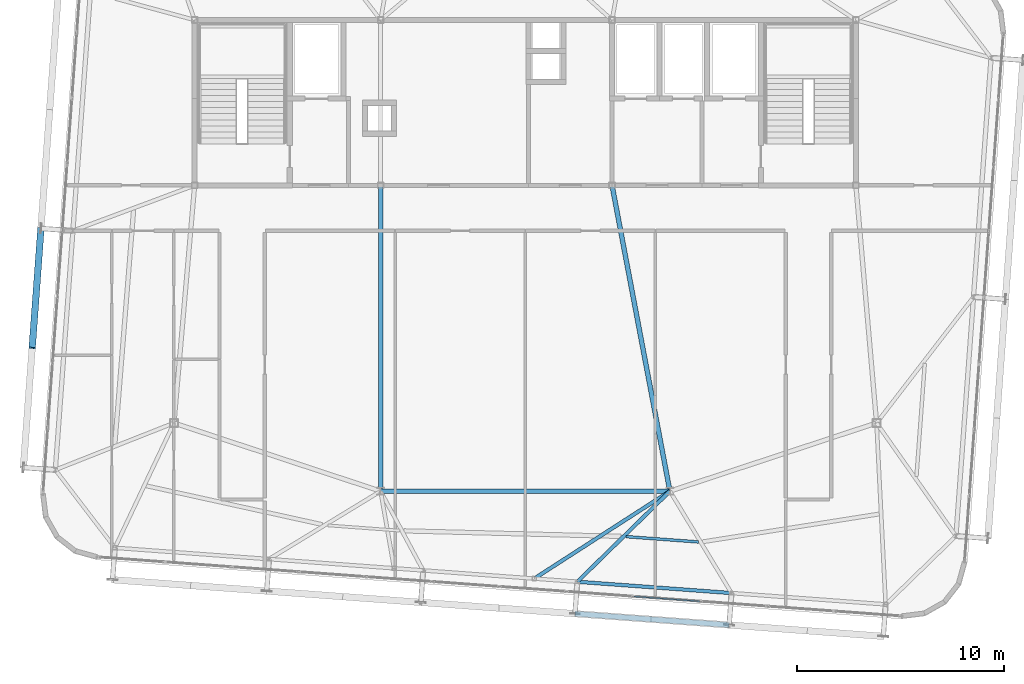
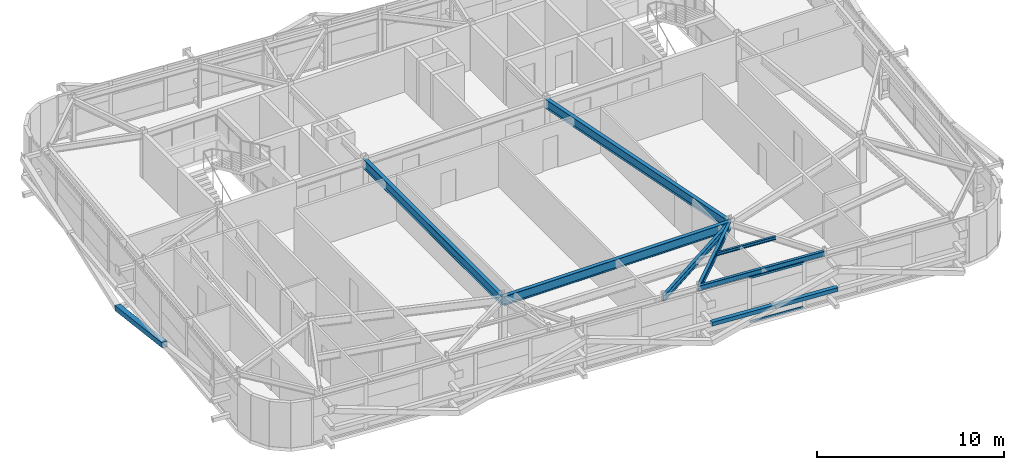
# One storey, part 14 of 42: 7 beams, 4 members, 1 element without a shape of its own.
"""IFC4 building model written with IfcOpenShell, lengths in metres."""

from ifc_helpers import new_model, si_unit, direction, frame, origin, origin_2d, place, context, subcontext, project, spatial, hollow_rectangle, i_section, extrude, source, transform, mapped, material, layer, layer_set, material_profile, profile_set, type_object, element, aggregate, save


model = new_model("IFC4")

# Units and contexts
model_context = context("Model", 3, precision=1e-05, world=origin(), true_north=direction((0.0, 1.0)))
body_context = subcontext(model_context, "Body", "Model", "MODEL_VIEW")
ifc_project = project(units=[si_unit("LENGTHUNIT", "METRE"), si_unit("AREAUNIT", "SQUARE_METRE"), si_unit("VOLUMEUNIT", "CUBIC_METRE"), si_unit("PLANEANGLEUNIT", "RADIAN"), si_unit("MASSUNIT", "GRAM", prefix="KILO")], contexts=[model_context])

# Site, building, storey
site_placement = place(None, origin())
site = spatial("IfcSite", under=ifc_project, at=site_placement, CompositionType="ELEMENT")
building_placement = place(site_placement, origin())
building = spatial("IfcBuilding", under=site, at=building_placement, Name="Taldren Reach Tower", CompositionType="ELEMENT")
storey_placement = place(building_placement, frame((0.0, 0.0, 220.85009765625)))
storey = spatial("IfcBuildingStorey", under=building, at=storey_placement, Name="L67", CompositionType="ELEMENT", Elevation=220.85009765625)

# Beams
ifc_material_1 = material(Name="Steel Gr 350 (350PLUS)", Category="steel")
ifc_material_profile_1 = material_profile(ifc_material_1, i_section(OverallWidth=0.22802734375, OverallDepth=0.60205078125, WebThickness=0.010498046875, FlangeThickness=0.014892578125, at=origin_2d()), Name="610UB101")
ifc_profile_set_1 = profile_set([ifc_material_profile_1], Name="Steel Gr 350 (350PLUS)")
beam_type_1 = type_object("IfcBeamType", Name="BM-UB610B", PredefinedType="BEAM", material=ifc_profile_set_1)
shared_shape_1 = source(origin(), body_context, "Body", "SweptSolid", [
    extrude(i_section(OverallWidth=0.22802734375, OverallDepth=0.60205078125, WebThickness=0.010498046875, FlangeThickness=0.014892578125, at=origin_2d()), origin(), (0.0, 0.0, 1.0), 14.0),
])
beam_1_placement = place(storey_placement, frame((28.0, 9.199951171875, 2.62890625), z_axis=(1.0, 0.0, 0.0), x_axis=(0.0, 1.0, 0.0)))
element("IfcBeam", 1, at=beam_1_placement, inside=storey, type_object=beam_type_1, Name="Core-spine girder L67-SP11", PredefinedType="BEAM", context=body_context, shape_type="MappedRepresentation", body=[
    mapped(shared_shape_1, transform((0.0, 0.0, 0.0), scale=1.0)),
])
shared_shape_2 = source(origin(), body_context, "Body", "SweptSolid", [
    extrude(i_section(OverallWidth=0.22802734375, OverallDepth=0.60205078125, WebThickness=0.010498046875, FlangeThickness=0.014892578125, at=origin_2d()), origin(), (0.0, 0.0, 1.0), 14.800048828125),
])
beam_2_placement = place(storey_placement, frame((28.0, 24.0, 2.62890625), z_axis=(0.0, -1.0, 0.0), x_axis=(1.0, 0.0, 0.0)))
element("IfcBeam", 2, at=beam_2_placement, inside=storey, type_object=beam_type_1, Name="Core-spine girder L67-SP14", PredefinedType="BEAM", context=body_context, shape_type="MappedRepresentation", body=[
    mapped(shared_shape_2, transform((0.0, 0.0, 0.0), scale=1.0)),
])
shared_shape_3 = source(origin(), body_context, "Body", "SweptSolid", [
    extrude(i_section(OverallWidth=0.22802734375, OverallDepth=0.60205078125, WebThickness=0.010498046875, FlangeThickness=0.014892578125, at=origin_2d()), origin(), (0.0, 0.0, 1.0), 15.0625),
])
beam_3_placement = place(storey_placement, frame((39.199951171875, 24.0, 2.62890625), z_axis=(0.185894205668, -0.982569765614, 0.0), x_axis=(0.982569765614, 0.185894205668, 0.0)))
element("IfcBeam", 3, at=beam_3_placement, inside=storey, type_object=beam_type_1, Name="Core-spine girder L67-SP15", PredefinedType="BEAM", context=body_context, shape_type="MappedRepresentation", body=[
    mapped(shared_shape_3, transform((0.0, 0.0, 0.0), scale=1.0)),
])
ifc_material_profile_2 = material_profile(ifc_material_1, i_section(OverallWidth=0.172119140625, OverallDepth=0.35888671875, WebThickness=0.008056640625, FlangeThickness=0.012939453125, at=origin_2d()), Name="360UB56.7")
ifc_profile_set_2 = profile_set([ifc_material_profile_2], Name="Steel Gr 350 (350PLUS)")
beam_type_2 = type_object("IfcBeamType", Name="SP-UB360", PredefinedType="SPANDREL", material=ifc_profile_set_2)
shared_shape_4 = source(origin(), body_context, "Body", "SweptSolid", [
    extrude(i_section(OverallWidth=0.172119140625, OverallDepth=0.35888671875, WebThickness=0.008056640625, FlangeThickness=0.012939453125, at=origin_2d()), origin(), (0.0, 0.0, 1.0), 7.479736328125),
])
beam_4_placement = place(storey_placement, frame((37.5205078125, 4.81689453125, 2.75048828125), z_axis=(0.997314045547, -0.073244075215, 0.0), x_axis=(0.073244075215, 0.997314045547, 0.0)))
element("IfcBeam", 4, at=beam_4_placement, inside=storey, type_object=beam_type_2, Name="Perimeter spandrel B5 S4-S5 L67", PredefinedType="SPANDREL", context=body_context, shape_type="MappedRepresentation", body=[
    mapped(shared_shape_4, transform((0.0, 0.0, 0.0), scale=1.0)),
])
ifc_material_profile_3 = material_profile(ifc_material_1, i_section(OverallWidth=0.177978515625, OverallDepth=0.406005859375, WebThickness=0.0078125, FlangeThickness=0.0126953125, at=origin_2d()), Name="410UB59.7")
ifc_profile_set_3 = profile_set([ifc_material_profile_3], Name="Steel Gr 350 (350PLUS)")
beam_type_3 = type_object("IfcBeamType", Name="BM-UB410", PredefinedType="BEAM", material=ifc_profile_set_3)
shared_shape_5 = source(origin(), body_context, "Body", "SweptSolid", [
    extrude(i_section(OverallWidth=0.177978515625, OverallDepth=0.406005859375, WebThickness=0.0078125, FlangeThickness=0.0126953125, at=origin_2d()), origin(), (0.0, 0.0, 1.0), 7.80908203125),
])
beam_5_placement = place(storey_placement, frame((42.0, 9.199951171875, 2.726806640625), z_axis=(-0.840564391699, -0.541711642304, 0.0), x_axis=(0.541711642304, -0.840564391699, 0.0)))
element("IfcBeam", 5, at=beam_5_placement, inside=storey, type_object=beam_type_3, Name="Primary floor girder B5-PJ2 L67", PredefinedType="BEAM", context=body_context, shape_type="MappedRepresentation", body=[
    mapped(shared_shape_5, transform((0.0, 0.0, 0.0), scale=1.0)),
])
shared_shape_6 = source(origin(), body_context, "Body", "SweptSolid", [
    extrude(i_section(OverallWidth=0.177978515625, OverallDepth=0.406005859375, WebThickness=0.0078125, FlangeThickness=0.0126953125, at=origin_2d()), origin(), (0.0, 0.0, 1.0), 6.26708984375),
])
beam_6_placement = place(storey_placement, frame((42.0, 9.199951171875, 2.726806640625), z_axis=(-0.71475866888, -0.699371178461, 0.0), x_axis=(0.699371178461, -0.71475866888, 0.0)))
element("IfcBeam", 6, at=beam_6_placement, inside=storey, type_object=beam_type_3, Name="Primary floor girder B5-S4 L67", PredefinedType="BEAM", context=body_context, shape_type="MappedRepresentation", body=[
    mapped(shared_shape_6, transform((0.0, 0.0, 0.0), scale=1.0)),
])
ifc_material_2 = material(Name="Steel Gr 300 (300PLUS, 300 MPa)", Category="steel")
ifc_material_profile_4 = material_profile(ifc_material_2, i_section(OverallWidth=0.134033203125, OverallDepth=0.20703125, WebThickness=0.00634765625, FlangeThickness=0.009521484375, at=origin_2d()), Name="200UB29.8")
ifc_profile_set_4 = profile_set([ifc_material_profile_4], Name="Steel Gr 300 (300PLUS, 300 MPa)")
beam_type_4 = type_object("IfcBeamType", Name="JS-UB200", PredefinedType="JOIST", material=ifc_profile_set_4)
shared_shape_7 = source(origin(), body_context, "Body", "SweptSolid", [
    extrude(i_section(OverallWidth=0.134033203125, OverallDepth=0.20703125, WebThickness=0.00634765625, FlangeThickness=0.009521484375, at=origin_2d()), origin(), (0.0, 0.0, 1.0), 3.51220703125),
])
beam_7_placement = place(storey_placement, frame((39.878662109375, 6.999755859375, 2.826416015625), z_axis=(0.997312333235, -0.073267386856, 0.0), x_axis=(0.073267386856, 0.997312333235, 0.0)))
element("IfcBeam", 7, at=beam_7_placement, inside=storey, type_object=beam_type_4, Name="Secondary floor joist B5 J4 L67", PredefinedType="JOIST", context=body_context, shape_type="MappedRepresentation", body=[
    mapped(shared_shape_7, transform((0.0, 0.0, 0.0), scale=1.0)),
])

# Members
ifc_material_3 = material(Name="Steel Gr 350 (C350L0)", Category="steel")
ifc_material_profile_5 = material_profile(ifc_material_3, hollow_rectangle(XDim=0.25, YDim=0.25, WallThickness=0.010009765625, at=origin_2d()), Name="250x250x10.0SHS")
ifc_profile_set_5 = profile_set([ifc_material_profile_5], Name="Steel Gr 350 (C350L0)")
member_type_1 = type_object("IfcMemberType", Name="MB-POST250", PredefinedType="POST", material=ifc_profile_set_5)
shared_shape_8 = source(origin(), body_context, "Body", "SweptSolid", [
    extrude(hollow_rectangle(XDim=0.25, YDim=0.25, WallThickness=0.010009765625, at=origin_2d()), origin(), (0.0, 0.0, 1.0), 7.479736328125),
])
member_1_placement = place(storey_placement, frame((37.406982421875, 3.27099609375, 1.434814453125), z_axis=(0.997314045547, -0.073244075215, 0.0), x_axis=(0.073244075215, 0.997314045547, 0.0)))
element("IfcMember", 8, at=member_1_placement, inside=storey, type_object=member_type_1, Name="Exoskeleton mid-height ring chord B5-S4 L67", PredefinedType="POST", context=body_context, shape_type="MappedRepresentation", body=[
    mapped(shared_shape_8, transform((0.0, 0.0, 0.0), scale=1.0)),
])
ifc_material_4 = material(Name="Steel Gr 450 (C450L0)", Category="steel")
ifc_material_profile_6 = material_profile(ifc_material_4, hollow_rectangle(XDim=0.324951171875, YDim=0.324951171875, WallThickness=0.0126953125, at=origin_2d()), Name="325x325x12.7SHS")
ifc_profile_set_6 = profile_set([ifc_material_profile_6], Name="Steel Gr 450 (C450L0)")
member_type_2 = type_object("IfcMemberType", Name="MB-BR324", PredefinedType="BRACE", material=ifc_profile_set_6)
shared_shape_9 = source(origin(), body_context, "Body", "SweptSolid", [
    extrude(hollow_rectangle(XDim=0.324951171875, YDim=0.324951171875, WallThickness=0.0126953125, at=origin_2d()), origin(), (0.0, 0.0, 1.0), 5.92578125),
])
member_2_placement = place(storey_placement, frame((11.562744140625, 21.913818359375, 0.219970703125), z_axis=(-0.071686540919, -0.976131732187, 0.205007027365), x_axis=(0.997314185625, -0.073242167855, 0.0)))
element("IfcMember", 9, at=member_2_placement, inside=storey, type_object=member_type_2, Name="Exoskeleton Diagrid Brace B5-W1 L67", PredefinedType="BRACE", context=body_context, shape_type="MappedRepresentation", body=[
    mapped(shared_shape_9, transform((0.0, 0.0, 0.0), scale=1.0)),
])

# Curtain wall, members
ifc_material_5 = material(Name="Aluminium and Low-E Glass Unitised System", Category="aluminium")
ifc_layer = layer(ifc_material_5, 0.159912109375)
ifc_layer_set = layer_set([ifc_layer], Name="Aluminium and Low-E Glass Unitised System")
curtain_wall_type = type_object("IfcCurtainWallType", Name="CW-SYS-6", PredefinedType="NOTDEFINED", material=ifc_layer_set)
curtain_wall_placement = place(storey_placement, origin())
curtain_wall = element("IfcCurtainWall", 10, at=curtain_wall_placement, inside=storey, type_object=curtain_wall_type, Name="Unitised curtain wall CW-L67-S", PredefinedType="NOTDEFINED")
ifc_material_6 = material(Name="Anodised Aluminium 6063-T6", Category="aluminium")
ifc_material_profile_7 = material_profile(ifc_material_6, hollow_rectangle(XDim=0.06005859375, YDim=0.135009765625, WallThickness=0.00341796875, at=origin_2d()), Name="ALU-135x60x3.5RHS")
ifc_profile_set_7 = profile_set([ifc_material_profile_7], Name="Anodised Aluminium 6063-T6")
member_type_3 = type_object("IfcMemberType", Name="CW-TRN-150", PredefinedType="USERDEFINED", material=ifc_profile_set_7)
shared_shape_10 = source(origin(), body_context, "Body", "SweptSolid", [
    extrude(hollow_rectangle(XDim=0.06005859375, YDim=0.135009765625, WallThickness=0.00341796875, at=origin_2d()), origin(), (0.0, 0.0, 1.0), 3.175048828125),
])
member_3_placement = place(storey_placement, frame((40.27294921875, 4.103271484375, 0.02978515625), z_axis=(0.99731704481, -0.073203224877, 0.0), x_axis=(0.073203224877, 0.99731704481, 0.0)))
member_3 = element("IfcMember", 11, at=member_3_placement, type_object=member_type_3, Name="CW-6 transom 9.1", ObjectType="TRANSOM", PredefinedType="USERDEFINED", context=body_context, shape_type="MappedRepresentation", body=[
    mapped(shared_shape_10, transform((0.0, 0.0, 0.0), scale=1.0)),
])
member_4_placement = place(storey_placement, frame((40.27294921875, 4.103271484375, 2.89990234375), z_axis=(0.99731704481, -0.073203224877, 0.0), x_axis=(0.073203224877, 0.99731704481, 0.0)))
member_4 = element("IfcMember", 12, at=member_4_placement, type_object=member_type_3, Name="CW-6 transom 9.2", ObjectType="TRANSOM", PredefinedType="USERDEFINED", context=body_context, shape_type="MappedRepresentation", body=[
    mapped(shared_shape_10, transform((0.0, 0.0, 0.0), scale=1.0)),
])
aggregate(curtain_wall, [member_3, member_4])

save(model, "model.ifc")
